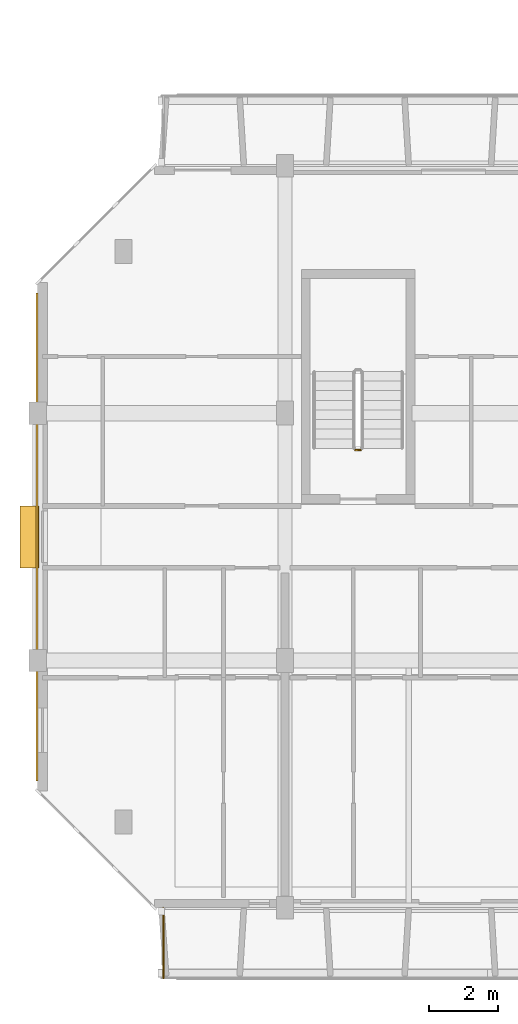
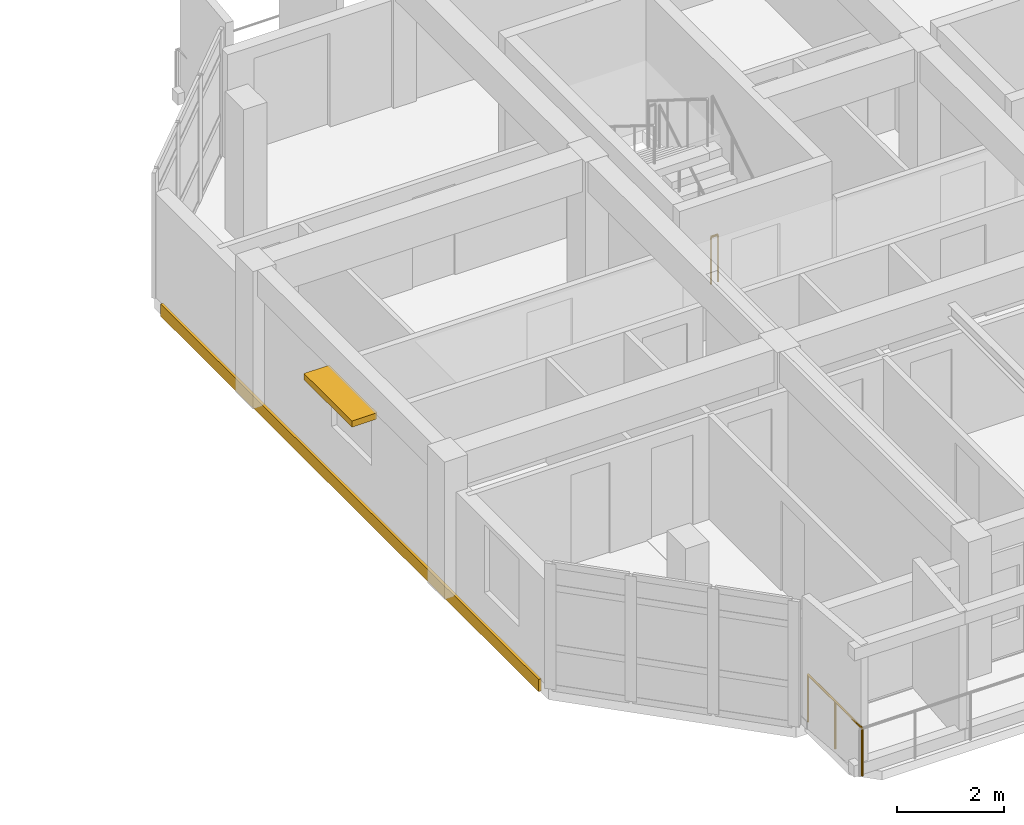
# One storey, part 41 of 51: 2 railings, 1 covering, 1 shading device.
"""IFC4 building model written with IfcOpenShell, lengths in metres."""

from ifc_helpers import new_model, si_unit, direction, frame, origin, origin_2d, place, context, subcontext, project, spatial, rectangle, circle, extrude, material, layer, layer_set, type_object, element, save


model = new_model("IFC4")

# Units and contexts
model_context = context("Model", 3, precision=1e-05, world=origin(), true_north=direction((0.0, 1.0)))
body_context = subcontext(model_context, "Body", "Model", "MODEL_VIEW")
ifc_project = project(units=[si_unit("LENGTHUNIT", "METRE"), si_unit("AREAUNIT", "SQUARE_METRE"), si_unit("VOLUMEUNIT", "CUBIC_METRE"), si_unit("PLANEANGLEUNIT", "RADIAN"), si_unit("MASSUNIT", "GRAM", prefix="KILO")], contexts=[model_context])

# Site, building, storey
site_placement = place(None, origin())
site = spatial("IfcSite", under=ifc_project, at=site_placement, CompositionType="ELEMENT")
building_placement = place(site_placement, origin())
building = spatial("IfcBuilding", under=site, at=building_placement, Name="Ochrevale Crest", CompositionType="ELEMENT")
storey_placement = place(building_placement, frame((0.0, 0.0, 11.85009765625)))
storey = spatial("IfcBuildingStorey", under=building, at=storey_placement, Name="L03", CompositionType="ELEMENT", Elevation=11.85009765625)

# Covering
ifc_material_1 = material(Name="Glazed terracotta rainscreen tile", Category="masonry")
ifc_layer = layer(ifc_material_1, 0.048095703125)
ifc_layer_set = layer_set([ifc_layer], Name="Glazed terracotta rainscreen tile")
covering_type = type_object("IfcCoveringType", Name="COV-CLAD-TER", PredefinedType="CLADDING", material=ifc_layer_set)
covering_placement = place(storey_placement, frame((-0.014404296875, 25.199951171875, -0.26025390625), z_axis=(0.0, 0.0, 1.0), x_axis=(0.0, -1.0, 0.0)))
element("IfcCovering", 1, at=covering_placement, inside=storey, type_object=covering_type, Name="Block A L03 terracotta slab-edge spandrel cladding", PredefinedType="CLADDING", context=body_context, shape_type="SweptSolid", body=[
    extrude(rectangle(XDim=14.199951171875, YDim=0.06005859375, at=origin_2d()), origin(), (0.0, 0.0, 1.0), 0.280029296875),
])

# Railings
ifc_material_2 = material(Name="Galvanised steel", Category="steel")
railing_type_1 = type_object("IfcRailingType", Name="RL-BAL-1100", PredefinedType="BALUSTRADE", material=ifc_material_2)
railing_1_placement = place(storey_placement, frame((3.659912109375, 14.39990234375, 0.0)))
element("IfcRailing", 2, at=railing_1_placement, inside=storey, type_object=railing_type_1, Name="Block A L03 S-W balcony side guard", PredefinedType="BALUSTRADE", context=body_context, shape_type="SweptSolid", body=[
    extrude(circle(Radius=0.02392578125, at=origin_2d()), frame((0.0, 0.0, 1.0859375), z_axis=(0.0, -1.0, 0.0), x_axis=(1.0, 0.0, 0.0)), (0.0, 0.0, 1.0), 2.039794921875),
    extrude(circle(Radius=0.02099609375, at=origin_2d()), origin(), (0.0, 0.0, 1.0), 1.06201171875),
    extrude(circle(Radius=0.02099609375, at=origin_2d()), frame((0.0, -1.02001953125, 0.0)), (0.0, 0.0, 1.0), 1.06201171875),
    extrude(circle(Radius=0.02099609375, at=origin_2d()), frame((0.0, -2.039794921875, 0.0)), (0.0, 0.0, 1.0), 1.06201171875),
])
railing_type_2 = type_object("IfcRailingType", Name="RL-ST-GUARD", PredefinedType="BALUSTRADE", material=ifc_material_2)
railing_2_placement = place(storey_placement, frame((9.39990234375, 27.72509765625, 0.0)))
element("IfcRailing", 3, at=railing_2_placement, inside=storey, type_object=railing_type_2, Name="L03 ST-A1 stair guard 4", PredefinedType="BALUSTRADE", context=body_context, shape_type="SweptSolid", body=[
    extrude(circle(Radius=0.02392578125, at=origin_2d()), frame((0.0, 0.0, 1.076171875), z_axis=(-1.0, 0.0, 0.0), x_axis=(0.0, -1.0, 0.0)), (0.0, 0.0, 1.0), 0.14990234375),
    extrude(circle(Radius=0.02099609375, at=origin_2d()), origin(), (0.0, 0.0, 1.0), 1.052001953125),
    extrude(circle(Radius=0.02099609375, at=origin_2d()), frame((-0.14990234375, 0.0, 0.0)), (0.0, 0.0, 1.0), 1.052001953125),
])

# Shading device
ifc_material_3 = material(Name="Anodised aluminium 6063-T5", Category="aluminium")
shading_device_type = type_object("IfcShadingDeviceType", Name="SHD-SUNSHADE-OC", PredefinedType="USERDEFINED", material=ifc_material_3)
shading_device_placement = place(storey_placement, frame((-0.239990234375, 25.199951171875, 2.2099609375), z_axis=(0.0, 0.0, 1.0), x_axis=(1.0, 0.0, 0.0)))
element("IfcShadingDevice", 4, at=shading_device_placement, inside=storey, type_object=shading_device_type, Name="Block A L03 gable window sunshade W", ObjectType="HORIZONTAL SUNSHADE", PredefinedType="USERDEFINED", context=body_context, shape_type="SweptSolid", body=[
    extrude(rectangle(XDim=0.550048828125, YDim=1.800048828125, at=origin_2d()), origin(), (0.0, 0.0, 1.0), 0.139892578125),
])

save(model, "model.ifc")
